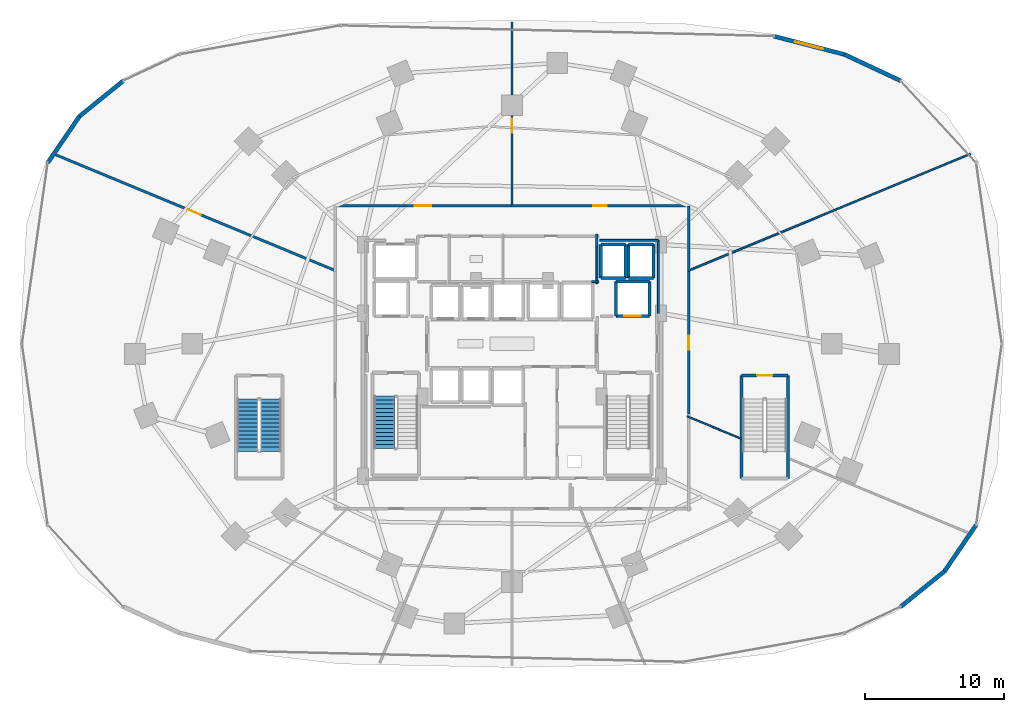
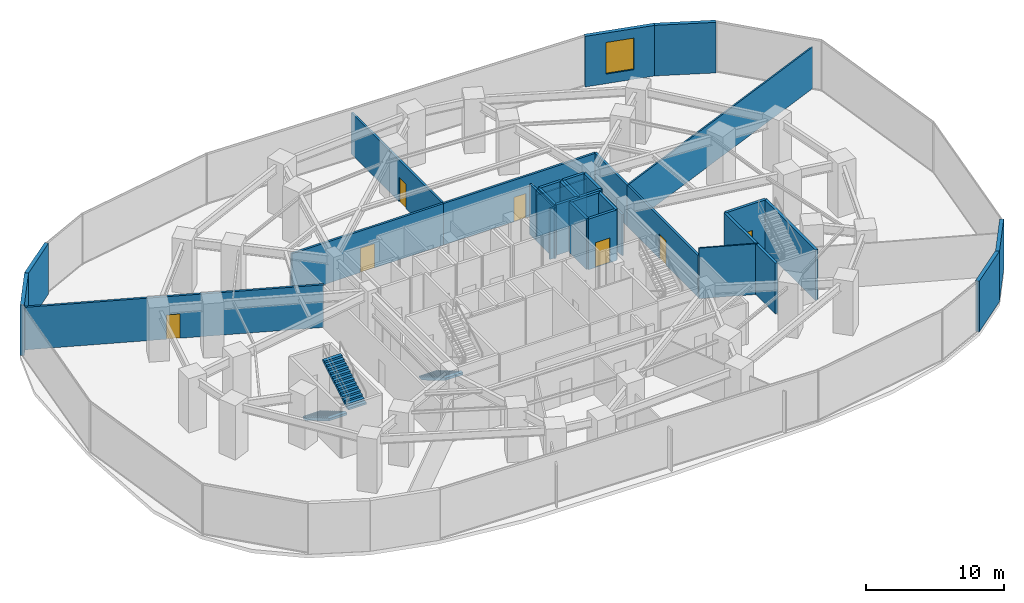
# One storey, part 24 of 27: 34 walls, 7 doors, 3 stair flights, 1 window, 8 openings, 2 elements without a shape of their own.
"""IFC4 building model written with IfcOpenShell, lengths in metres."""

from ifc_helpers import new_model, si_unit, direction, frame, frame_2d, origin, place, context, subcontext, project, spatial, polyline, rectangle, outline, extrude, material, layer, layer_set, type_object, element, fill, aggregate, save


model = new_model("IFC4")

# Units and contexts
model_context = context("Model", 3, precision=1e-05, world=origin(), true_north=direction((0.0, 1.0)))
body_context = subcontext(model_context, "Body", "Model", "MODEL_VIEW")
ifc_project = project(units=[si_unit("LENGTHUNIT", "METRE"), si_unit("AREAUNIT", "SQUARE_METRE"), si_unit("VOLUMEUNIT", "CUBIC_METRE"), si_unit("PLANEANGLEUNIT", "RADIAN"), si_unit("MASSUNIT", "GRAM", prefix="KILO")], contexts=[model_context])

# Site, building, storey
site_placement = place(None, origin())
site = spatial("IfcSite", under=ifc_project, at=site_placement, CompositionType="ELEMENT")
building_placement = place(site_placement, origin())
building = spatial("IfcBuilding", under=site, at=building_placement, Name="Vorneva Point Tower", CompositionType="ELEMENT")
storey_placement = place(building_placement, frame((0.0, 0.0, 4.800048828125)))
storey = spatial("IfcBuildingStorey", under=building, at=storey_placement, Name="L01", CompositionType="ELEMENT", Elevation=4.800048828125)

# Wall, opening, door
ifc_material_1 = material(Name="Concrete B60 (C50/60)", Category="concrete")
ifc_layer_1 = layer(ifc_material_1, 0.5)
ifc_layer_set_1 = layer_set([ifc_layer_1], Name="Concrete B60 (C50/60)")
wall_type_1 = type_object("IfcWallType", Name="WL-CORE-500", PredefinedType="SHEAR", material=ifc_layer_set_1)
wall_1_placement = place(storey_placement, frame((45.5, 28.0, 0.0), z_axis=(0.0, 0.0, 1.0), x_axis=(1.0, 0.0, 0.0)))
wall_1 = element("IfcWall", 1, at=wall_1_placement, inside=storey, type_object=wall_type_1, Name="L01 Lift FFL2 Shaft Wall -Y", PredefinedType="SHEAR", context=body_context, shape_type="SweptSolid", body=[
    extrude(rectangle(XDim=2.39990234375, YDim=0.219970703125, at=frame_2d((1.199951171875, 0.0))), origin(), (0.0, 0.0, 1.0), 4.47998046875),
])
opening_1_placement = place(wall_1_placement, frame((0.60009765625, 0.0, 0.0)))
opening_1 = element("IfcOpeningElement", 2, at=opening_1_placement, cuts=wall_1, Name="Opening LD-02", PredefinedType="OPENING", context=body_context, shape_type="SweptSolid", body=[
    extrude(rectangle(XDim=1.199951171875, YDim=2.199951171875, at=frame_2d((0.60009765625, 1.10009765625))), frame((0.0, 0.125, 0.0), z_axis=(0.0, -1.0, 0.0), x_axis=(1.0, 0.0, 0.0)), (0.0, 0.0, 1.0), 0.249755859375),
])
ifc_material_2 = material(Name="Brushed stainless steel S304", Category="steel")
door_type_1 = type_object("IfcDoorType", Name="LD-FIRE-1200", OperationType="SLIDING_TO_LEFT", PredefinedType="DOOR", material=ifc_material_2)
door_1_placement = place(opening_1_placement, origin())
door_1 = element("IfcDoor", 3, at=door_1_placement, inside=storey, type_object=door_type_1, Name="L01 Lift FFL2 Sliding Landing Door", OperationType="SLIDING_TO_LEFT", OverallHeight=2.199951171875, OverallWidth=1.199951171875, PredefinedType="DOOR", context=body_context, shape_type="SweptSolid", body=[
    extrude(rectangle(XDim=1.199951171875, YDim=2.199951171875, at=frame_2d((0.60009765625, 1.10009765625))), frame((0.0, 0.02490234375, 0.0), z_axis=(0.0, -1.0, 0.0), x_axis=(1.0, 0.0, 0.0)), (0.0, 0.0, 1.0), 0.050048828125),
])
fill(opening_1, door_1)

# Walls
wall_2_placement = place(storey_placement, frame((47.89990234375, 28.0, 0.0), z_axis=(0.0, 0.0, 1.0), x_axis=(0.0, 1.0, 0.0)))
element("IfcWall", 4, at=wall_2_placement, inside=storey, type_object=wall_type_1, Name="L01 Lift FFL2 Shaft Wall +X", PredefinedType="SHEAR", context=body_context, shape_type="SweptSolid", body=[
    extrude(rectangle(XDim=2.5, YDim=0.219970703125, at=frame_2d((1.25, 0.0))), origin(), (0.0, 0.0, 1.0), 4.47998046875),
])
wall_3_placement = place(storey_placement, frame((47.89990234375, 30.5, 0.0), z_axis=(0.0, 0.0, 1.0), x_axis=(-1.0, 0.0, 0.0)))
element("IfcWall", 5, at=wall_3_placement, inside=storey, type_object=wall_type_1, Name="L01 Lift FFL2 Shaft Wall +Y", PredefinedType="SHEAR", context=body_context, shape_type="SweptSolid", body=[
    extrude(rectangle(XDim=2.39990234375, YDim=0.219970703125, at=frame_2d((1.199951171875, 0.0))), origin(), (0.0, 0.0, 1.0), 4.47998046875),
])
wall_4_placement = place(storey_placement, frame((45.5, 30.5, 0.0), z_axis=(0.0, 0.0, 1.0), x_axis=(0.0, -1.0, 0.0)))
element("IfcWall", 6, at=wall_4_placement, inside=storey, type_object=wall_type_1, Name="L01 Lift FFL2 Shaft Wall -X", PredefinedType="SHEAR", context=body_context, shape_type="SweptSolid", body=[
    extrude(rectangle(XDim=2.5, YDim=0.219970703125, at=frame_2d((1.25, 0.0))), origin(), (0.0, 0.0, 1.0), 4.47998046875),
])
ifc_material_3 = material(Name="Precast concrete B50 (C40/50)", Category="concrete")
ifc_layer_2 = layer(ifc_material_3, 0.300048828125)
ifc_layer_set_2 = layer_set([ifc_layer_2], Name="Precast concrete B50 (C40/50)")
wall_type_2 = type_object("IfcWallType", Name="WL-EXT-300", PredefinedType="STANDARD", material=ifc_layer_set_2)
wall_5_placement = place(storey_placement, frame((66.0224609375, 44.96337890625, 0.0), z_axis=(0.0, 0.0, 1.0), x_axis=(-0.905655072563, 0.424015199657, 0.0)))
element("IfcWall", 7, at=wall_5_placement, inside=storey, type_object=wall_type_2, Name="L01 Pale-Metal Facade Spandrel Wall 03.1", PredefinedType="STANDARD", context=body_context, shape_type="SweptSolid", body=[
    extrude(rectangle(XDim=4.482421875, YDim=0.300048828125, at=frame_2d((2.2412109375, 0.0))), origin(), (0.0, 0.0, 1.0), 4.47998046875),
])

# Wall, opening, window
wall_6_placement = place(storey_placement, frame((61.962890625, 46.864013671875, 0.0), z_axis=(0.0, 0.0, 1.0), x_axis=(-0.968182342492, 0.250245782556, 0.0)))
wall_6 = element("IfcWall", 8, at=wall_6_placement, inside=storey, type_object=wall_type_2, Name="L01 Pale-Metal Facade Spandrel Wall 03.2", PredefinedType="STANDARD", context=body_context, shape_type="SweptSolid", body=[
    extrude(rectangle(XDim=5.239990234375, YDim=0.300048828125, at=frame_2d((2.6201171875, 0.0))), origin(), (0.0, 0.0, 1.0), 4.47998046875),
])
opening_2_placement = place(wall_6_placement, frame((1.570068359375, 0.0, 0.85009765625)))
opening_2 = element("IfcOpeningElement", 9, at=opening_2_placement, cuts=wall_6, Name="Opening W-05", PredefinedType="OPENING", context=body_context, shape_type="SweptSolid", body=[
    extrude(rectangle(XDim=2.10009765625, YDim=2.800048828125, at=frame_2d((1.050048828125, 1.39990234375))), frame((0.0, 0.1650390625, 0.0), z_axis=(0.0, -1.0, 0.0), x_axis=(1.0, 0.0, 0.0)), (0.0, 0.0, 1.0), 0.329833984375),
])
ifc_material_4 = material(Name="Double low-e laminated glass IGU", Category="glass")
window_type = type_object("IfcWindowType", Name="WN-POD-2100", PartitioningType="SINGLE_PANEL", PredefinedType="WINDOW", material=ifc_material_4)
window_placement = place(opening_2_placement, origin())
window = element("IfcWindow", 10, at=window_placement, inside=storey, type_object=window_type, Name="L01 Facade Window 03", OverallHeight=2.800048828125, OverallWidth=2.10009765625, PartitioningType="SINGLE_PANEL", PredefinedType="WINDOW", context=body_context, shape_type="SweptSolid", body=[
    extrude(rectangle(XDim=2.10009765625, YDim=2.800048828125, at=frame_2d((1.050048828125, 1.39990234375))), frame((0.0, 0.030029296875, 0.0), z_axis=(0.0, -1.0, 0.0), x_axis=(1.0, 0.0, 0.0)), (0.0, 0.0, 1.0), 0.06005859375),
])
fill(opening_2, window)

# Walls
wall_7_placement = place(storey_placement, frame((9.9775390625, 44.96337890625, 0.0), z_axis=(0.0, 0.0, 1.0), x_axis=(-0.777457154615, -0.628935905111, 0.0)))
element("IfcWall", 11, at=wall_7_placement, inside=storey, type_object=wall_type_2, Name="L01 Pale-Metal Facade Spandrel Wall 07.1", PredefinedType="STANDARD", context=body_context, shape_type="SweptSolid", body=[
    extrude(rectangle(XDim=4.070068359375, YDim=0.300048828125, at=frame_2d((2.03515625, 0.0))), origin(), (0.0, 0.0, 1.0), 4.47998046875),
])
wall_8_placement = place(storey_placement, frame((6.813232421875, 42.403564453125, 0.0), z_axis=(0.0, 0.0, 1.0), x_axis=(-0.563802284854, -0.825909791438, 0.0)))
element("IfcWall", 12, at=wall_8_placement, inside=storey, type_object=wall_type_2, Name="L01 Pale-Metal Facade Spandrel Wall 07.2", PredefinedType="STANDARD", context=body_context, shape_type="SweptSolid", body=[
    extrude(rectangle(XDim=4.0517578125, YDim=0.300048828125, at=frame_2d((2.02587890625, 0.0))), origin(), (0.0, 0.0, 1.0), 4.47998046875),
])
wall_9_placement = place(storey_placement, frame((66.0224609375, 7.03662109375, 0.0), z_axis=(0.0, 0.0, 1.0), x_axis=(0.777457154615, 0.628935905111, 0.0)))
element("IfcWall", 13, at=wall_9_placement, inside=storey, type_object=wall_type_2, Name="L01 Pale-Metal Facade Spandrel Wall 15.1", PredefinedType="STANDARD", context=body_context, shape_type="SweptSolid", body=[
    extrude(rectangle(XDim=4.070068359375, YDim=0.300048828125, at=frame_2d((2.03515625, 0.0))), origin(), (0.0, 0.0, 1.0), 4.47998046875),
])
wall_10_placement = place(storey_placement, frame((69.186767578125, 9.596435546875, 0.0), z_axis=(0.0, 0.0, 1.0), x_axis=(0.563802284854, 0.825909791438, 0.0)))
element("IfcWall", 14, at=wall_10_placement, inside=storey, type_object=wall_type_2, Name="L01 Pale-Metal Facade Spandrel Wall 15.2", PredefinedType="STANDARD", context=body_context, shape_type="SweptSolid", body=[
    extrude(rectangle(XDim=4.0517578125, YDim=0.300048828125, at=frame_2d((2.02587890625, 0.0))), origin(), (0.0, 0.0, 1.0), 4.47998046875),
])
ifc_material_5 = material(Name="Fire-rated acoustic gypsum stud partition", Category="gypsum")
ifc_layer_3 = layer(ifc_material_5, 0.110107421875)
ifc_layer_set_3 = layer_set([ifc_layer_3], Name="Fire-rated acoustic gypsum stud partition")
wall_type_3 = type_object("IfcWallType", Name="WL-PART-110", PredefinedType="PARTITIONING", material=ifc_layer_set_3)
wall_11_placement = place(storey_placement, frame((54.619384765625, 19.116455078125, 0.0), z_axis=(0.0, 0.0, 1.0), x_axis=(-0.923887587975, 0.382663984176, 0.0)))
element("IfcWall", 15, at=wall_11_placement, inside=storey, type_object=wall_type_3, Name="L01 Interior Partition 044", PredefinedType="PARTITIONING", context=body_context, shape_type="SweptSolid", body=[
    extrude(rectangle(XDim=4.328125, YDim=0.110107421875, at=frame_2d((2.1640625, 0.0))), origin(), (0.0, 0.0, 1.0), 4.47998046875),
])
ifc_layer_4 = layer(ifc_material_5, 0.125)
ifc_layer_set_4 = layer_set([ifc_layer_4], Name="Fire-rated acoustic gypsum stud partition")
wall_type_4 = type_object("IfcWallType", Name="WL-PART-125", PredefinedType="PARTITIONING", material=ifc_layer_set_4)
wall_12_placement = place(storey_placement, frame((50.75, 31.281005859375, 0.0), z_axis=(0.0, 0.0, 1.0), x_axis=(0.923867913948, 0.382711480854, 0.0)))
element("IfcWall", 16, at=wall_12_placement, inside=storey, type_object=wall_type_4, Name="L01 Interior Partition 038", PredefinedType="PARTITIONING", context=body_context, shape_type="SweptSolid", body=[
    extrude(rectangle(XDim=21.980224609375, YDim=0.125, at=frame_2d((10.990234375, 0.0))), origin(), (0.0, 0.0, 1.0), 3.671875),
])
ifc_layer_5 = layer(ifc_material_5, 0.139892578125)
ifc_layer_set_5 = layer_set([ifc_layer_5], Name="Fire-rated acoustic gypsum stud partition")
wall_type_5 = type_object("IfcWallType", Name="WL-PART-140", PredefinedType="PARTITIONING", material=ifc_layer_set_5)
wall_13_placement = place(storey_placement, frame((43.735107421875, 30.47998046875, 0.0), z_axis=(0.0, 0.0, 1.0), x_axis=(1.0, 0.0, 0.0)))
element("IfcWall", 17, at=wall_13_placement, inside=storey, type_object=wall_type_5, Name="L01 Interior Closure Partition 051", PredefinedType="PARTITIONING", context=body_context, shape_type="SweptSolid", body=[
    extrude(rectangle(XDim=0.52490234375, YDim=0.139892578125, at=frame_2d((0.262451171875, 0.0))), origin(), (0.0, 0.0, 1.0), 4.47998046875),
])
wall_14_placement = place(storey_placement, frame((44.1201171875, 30.340087890625, 0.0), z_axis=(0.0, 0.0, 1.0), x_axis=(0.0, 1.0, 0.0)))
element("IfcWall", 18, at=wall_14_placement, inside=storey, type_object=wall_type_5, Name="L01 Interior Closure Partition 052", PredefinedType="PARTITIONING", context=body_context, shape_type="SweptSolid", body=[
    extrude(rectangle(XDim=2.659912109375, YDim=0.139892578125, at=frame_2d((1.330078125, 0.0))), origin(), (0.0, 0.0, 1.0), 4.47998046875),
])
wall_15_placement = place(storey_placement, frame((44.340087890625, 33.449951171875, 0.0), z_axis=(0.0, 0.0, 1.0), x_axis=(1.0, 0.0, 0.0)))
element("IfcWall", 19, at=wall_15_placement, inside=storey, type_object=wall_type_5, Name="L01 Interior Closure Partition 054", PredefinedType="PARTITIONING", context=body_context, shape_type="SweptSolid", body=[
    extrude(rectangle(XDim=4.2099609375, YDim=0.139892578125, at=frame_2d((2.10498046875, 0.0))), origin(), (0.0, 0.0, 1.0), 3.671875),
])
wall_16_placement = place(storey_placement, frame((48.550048828125, 33.449951171875, 0.0), z_axis=(0.0, 0.0, 1.0), x_axis=(0.0, -1.0, 0.0)))
element("IfcWall", 20, at=wall_16_placement, inside=storey, type_object=wall_type_5, Name="L01 Interior Closure Partition 055", PredefinedType="PARTITIONING", context=body_context, shape_type="SweptSolid", body=[
    extrude(rectangle(XDim=5.25390625, YDim=0.139892578125, at=frame_2d((2.626953125, 0.0))), origin(), (0.0, 0.0, 1.0), 3.671875),
])
ifc_material_6 = material(Name="Autoclaved aerated concrete blockwork", Category="masonry")
ifc_layer_6 = layer(ifc_material_6, 0.179931640625)
ifc_layer_set_6 = layer_set([ifc_layer_6], Name="Autoclaved aerated concrete blockwork")
wall_type_6 = type_object("IfcWallType", Name="WL-PART-180", PredefinedType="PARTITIONING", material=ifc_layer_set_6)
wall_17_placement = place(storey_placement, frame((44.1201171875, 32.969970703125, 0.0), z_axis=(0.0, 0.0, 1.0), x_axis=(0.0, 1.0, 0.0)))
element("IfcWall", 21, at=wall_17_placement, inside=storey, type_object=wall_type_6, Name="L01 Interior Partition 020", PredefinedType="PARTITIONING", context=body_context, shape_type="SweptSolid", body=[
    extrude(rectangle(XDim=0.929931640625, YDim=0.179931640625, at=frame_2d((0.46484375, 0.0))), origin(), (0.0, 0.0, 1.0), 4.47998046875),
])
wall_18_placement = place(storey_placement, frame((50.75, 31.220947265625, 0.0), z_axis=(0.0, 0.0, 1.0), x_axis=(0.0, 1.0, 0.0)))
element("IfcWall", 22, at=wall_18_placement, inside=storey, type_object=wall_type_6, Name="L01 Interior Partition 022", PredefinedType="PARTITIONING", context=body_context, shape_type="SweptSolid", body=[
    extrude(rectangle(XDim=4.72900390625, YDim=0.179931640625, at=frame_2d((2.364501953125, 0.0))), origin(), (0.0, 0.0, 1.0), 3.671875),
])

# Wall, opening, door
wall_19_placement = place(storey_placement, frame((50.75, 35.949951171875, 0.0), z_axis=(0.0, 0.0, 1.0), x_axis=(-1.0, 0.0, 0.0)))
wall_19 = element("IfcWall", 23, at=wall_19_placement, inside=storey, type_object=wall_type_6, Name="L01 Interior Partition 023", PredefinedType="PARTITIONING", context=body_context, shape_type="SweptSolid", body=[
    extrude(rectangle(XDim=12.81005859375, YDim=0.179931640625, at=frame_2d((6.405029296875, 0.0))), origin(), (0.0, 0.0, 1.0), 3.671875),
])
opening_3_placement = place(wall_19_placement, frame((5.905029296875, 0.0, 0.0)))
opening_3 = element("IfcOpeningElement", 24, at=opening_3_placement, cuts=wall_19, Name="Opening UD-01", PredefinedType="OPENING", context=body_context, shape_type="SweptSolid", body=[
    extrude(rectangle(XDim=1.0, YDim=2.14990234375, at=frame_2d((0.5, 1.074951171875))), frame((0.0, 0.10498046875, 0.0), z_axis=(0.0, -1.0, 0.0), x_axis=(1.0, 0.0, 0.0)), (0.0, 0.0, 1.0), 0.209716796875),
])
ifc_material_7 = material(Name="Engineered oak fire-rated door leaf", Category="wood")
door_type_2 = type_object("IfcDoorType", Name="DR-UNIT-1000", OperationType="NOTDEFINED", PredefinedType="DOOR", material=ifc_material_7)
door_2_placement = place(opening_3_placement, origin())
door_2 = element("IfcDoor", 25, at=door_2_placement, inside=storey, type_object=door_type_2, Name="L01 Door L01 Circulation Corridor / Retail Shop L01-A", OperationType="SINGLE_SWING_LEFT", OverallHeight=2.14990234375, OverallWidth=1.0, PredefinedType="DOOR", context=body_context, shape_type="SweptSolid", body=[
    extrude(rectangle(XDim=1.0, YDim=2.14990234375, at=frame_2d((0.5, 1.074951171875))), frame((0.0, 0.02490234375, 0.0), z_axis=(0.0, -1.0, 0.0), x_axis=(1.0, 0.0, 0.0)), (0.0, 0.0, 1.0), 0.050048828125),
])
fill(opening_3, door_2)

wall_20_placement = place(storey_placement, frame((37.93994140625, 35.949951171875, 0.0), z_axis=(0.0, 0.0, 1.0), x_axis=(-1.0, 0.0, 0.0)))
wall_20 = element("IfcWall", 26, at=wall_20_placement, inside=storey, type_object=wall_type_6, Name="L01 Interior Partition 024", PredefinedType="PARTITIONING", context=body_context, shape_type="SweptSolid", body=[
    extrude(rectangle(XDim=12.68994140625, YDim=0.179931640625, at=frame_2d((6.344970703125, 0.0))), origin(), (0.0, 0.0, 1.0), 3.671875),
])
opening_4_placement = place(wall_20_placement, frame((5.7451171875, 0.0, 0.0)))
opening_4 = element("IfcOpeningElement", 27, at=opening_4_placement, cuts=wall_20, Name="Opening FD-02", PredefinedType="OPENING", context=body_context, shape_type="SweptSolid", body=[
    extrude(rectangle(XDim=1.199951171875, YDim=2.14990234375, at=frame_2d((0.60009765625, 1.074951171875))), frame((0.0, 0.10498046875, 0.0), z_axis=(0.0, -1.0, 0.0), x_axis=(1.0, 0.0, 0.0)), (0.0, 0.0, 1.0), 0.209716796875),
])
ifc_material_8 = material(Name="Fire-rated powder-coated steel", Category="steel")
door_type_3 = type_object("IfcDoorType", Name="DR-FFL-1200", OperationType="NOTDEFINED", PredefinedType="DOOR", material=ifc_material_8)
door_3_placement = place(opening_4_placement, origin())
door_3 = element("IfcDoor", 28, at=door_3_placement, inside=storey, type_object=door_type_3, Name="L01 Door L01 Circulation Corridor / Waterfront Concourse Gallery L01", OperationType="SINGLE_SWING_RIGHT", OverallHeight=2.14990234375, OverallWidth=1.199951171875, PredefinedType="DOOR", context=body_context, shape_type="SweptSolid", body=[
    extrude(rectangle(XDim=1.199951171875, YDim=2.14990234375, at=frame_2d((0.60009765625, 1.074951171875))), frame((0.0, 0.02490234375, 0.0), z_axis=(0.0, -1.0, 0.0), x_axis=(1.0, 0.0, 0.0)), (0.0, 0.0, 1.0), 0.050048828125),
])
fill(opening_4, door_3)

wall_21_placement = place(storey_placement, frame((50.75, 20.9189453125, 0.0), z_axis=(0.0, 0.0, 1.0), x_axis=(0.0, 1.0, 0.0)))
wall_21 = element("IfcWall", 29, at=wall_21_placement, inside=storey, type_object=wall_type_6, Name="L01 Interior Partition 036", PredefinedType="PARTITIONING", context=body_context, shape_type="SweptSolid", body=[
    extrude(rectangle(XDim=10.302001953125, YDim=0.179931640625, at=frame_2d((5.15087890625, 0.0))), origin(), (0.0, 0.0, 1.0), 3.671875),
])
opening_5_placement = place(wall_21_placement, frame((4.65087890625, 0.0, 0.0)))
opening_5 = element("IfcOpeningElement", 30, at=opening_5_placement, cuts=wall_21, Name="Opening UD-01", PredefinedType="OPENING", context=body_context, shape_type="SweptSolid", body=[
    extrude(rectangle(XDim=1.0, YDim=2.14990234375, at=frame_2d((0.5, 1.074951171875))), frame((0.0, 0.10498046875, 0.0), z_axis=(0.0, -1.0, 0.0), x_axis=(1.0, 0.0, 0.0)), (0.0, 0.0, 1.0), 0.209716796875),
])
door_4_placement = place(opening_5_placement, origin())
door_4 = element("IfcDoor", 31, at=door_4_placement, inside=storey, type_object=door_type_2, Name="L01 Door L01 Circulation Corridor / Retail Shop L01-B", OperationType="SINGLE_SWING_RIGHT", OverallHeight=2.14990234375, OverallWidth=1.0, PredefinedType="DOOR", context=body_context, shape_type="SweptSolid", body=[
    extrude(rectangle(XDim=1.0, YDim=2.14990234375, at=frame_2d((0.5, 1.074951171875))), frame((0.0, 0.02490234375, 0.0), z_axis=(0.0, -1.0, 0.0), x_axis=(1.0, 0.0, 0.0)), (0.0, 0.0, 1.0), 0.050048828125),
])
fill(opening_5, door_4)

wall_22_placement = place(storey_placement, frame((38.0, 49.194091796875, 0.0), z_axis=(0.0, 0.0, 1.0), x_axis=(0.0, -1.0, 0.0)))
wall_22 = element("IfcWall", 32, at=wall_22_placement, inside=storey, type_object=wall_type_6, Name="L01 Interior Partition 037", PredefinedType="PARTITIONING", context=body_context, shape_type="SweptSolid", body=[
    extrude(rectangle(XDim=13.244140625, YDim=0.179931640625, at=frame_2d((6.6220703125, 0.0))), origin(), (0.0, 0.0, 1.0), 3.671875),
])
opening_6_placement = place(wall_22_placement, frame((6.9619140625, 0.0, 0.0)))
opening_6 = element("IfcOpeningElement", 33, at=opening_6_placement, cuts=wall_22, Name="Opening UD-01", PredefinedType="OPENING", context=body_context, shape_type="SweptSolid", body=[
    extrude(rectangle(XDim=1.0, YDim=2.14990234375, at=frame_2d((0.5, 1.074951171875))), frame((0.0, 0.10498046875, 0.0), z_axis=(0.0, -1.0, 0.0), x_axis=(1.0, 0.0, 0.0)), (0.0, 0.0, 1.0), 0.209716796875),
])
door_5_placement = place(opening_6_placement, origin())
door_5 = element("IfcDoor", 34, at=door_5_placement, inside=storey, type_object=door_type_2, Name="L01 Door Retail Shop L01-A / Waterfront Concourse Gallery L01", OperationType="SINGLE_SWING_RIGHT", OverallHeight=2.14990234375, OverallWidth=1.0, PredefinedType="DOOR", context=body_context, shape_type="SweptSolid", body=[
    extrude(rectangle(XDim=1.0, YDim=2.14990234375, at=frame_2d((0.5, 1.074951171875))), frame((0.0, 0.02490234375, 0.0), z_axis=(0.0, -1.0, 0.0), x_axis=(1.0, 0.0, 0.0)), (0.0, 0.0, 1.0), 0.050048828125),
])
fill(opening_6, door_5)

wall_23_placement = place(storey_placement, frame((4.943115234375, 39.693115234375, 0.0), z_axis=(0.0, 0.0, 1.0), x_axis=(0.923867913948, -0.382711480854, 0.0)))
wall_23 = element("IfcWall", 35, at=wall_23_placement, inside=storey, type_object=wall_type_6, Name="L01 Interior Partition 039", PredefinedType="PARTITIONING", context=body_context, shape_type="SweptSolid", body=[
    extrude(rectangle(XDim=21.980224609375, YDim=0.179931640625, at=frame_2d((10.990234375, 0.0))), origin(), (0.0, 0.0, 1.0), 3.76904296875),
])
opening_7_placement = place(wall_23_placement, frame((10.490234375, 0.0, 0.0)))
opening_7 = element("IfcOpeningElement", 36, at=opening_7_placement, cuts=wall_23, Name="Opening UD-01", PredefinedType="OPENING", context=body_context, shape_type="SweptSolid", body=[
    extrude(rectangle(XDim=1.0, YDim=2.14990234375, at=frame_2d((0.5, 1.074951171875))), frame((0.0, 0.10498046875, 0.0), z_axis=(0.0, -1.0, 0.0), x_axis=(1.0, 0.0, 0.0)), (0.0, 0.0, 1.0), 0.209716796875),
])
door_6_placement = place(opening_7_placement, origin())
door_6 = element("IfcDoor", 37, at=door_6_placement, inside=storey, type_object=door_type_2, Name="L01 Door Waterfront Concourse Gallery L01 / Riverfront Cafe L01", OperationType="SINGLE_SWING_RIGHT", OverallHeight=2.14990234375, OverallWidth=1.0, PredefinedType="DOOR", context=body_context, shape_type="SweptSolid", body=[
    extrude(rectangle(XDim=1.0, YDim=2.14990234375, at=frame_2d((0.5, 1.074951171875))), frame((0.0, 0.02490234375, 0.0), z_axis=(0.0, -1.0, 0.0), x_axis=(1.0, 0.0, 0.0)), (0.0, 0.0, 1.0), 0.050048828125),
])
fill(opening_7, door_6)

ifc_material_9 = material(Name="Concrete B50 (C40/50)", Category="concrete")
ifc_layer_7 = layer(ifc_material_9, 0.219970703125)
ifc_layer_set_7 = layer_set([ifc_layer_7], Name="Concrete B50 (C40/50)")
wall_type_7 = type_object("IfcWallType", Name="WL-SHFT-220", PredefinedType="SOLIDWALL", material=ifc_layer_set_7)
wall_24_placement = place(storey_placement, frame((54.5400390625, 23.7099609375, 0.0), z_axis=(0.0, 0.0, 1.0), x_axis=(1.0, 0.0, 0.0)))
wall_24 = element("IfcWall", 38, at=wall_24_placement, inside=storey, type_object=wall_type_7, Name="L01 Exit Stair ST4 Shaft Wall near", PredefinedType="SOLIDWALL", context=body_context, shape_type="SweptSolid", body=[
    extrude(rectangle(XDim=3.369873046875, YDim=0.219970703125, at=frame_2d((1.68505859375, 0.0))), origin(), (0.0, 0.0, 1.0), 4.47998046875),
])
opening_8_placement = place(wall_24_placement, frame((1.135009765625, 0.0, 0.0)))
opening_8 = element("IfcOpeningElement", 39, at=opening_8_placement, cuts=wall_24, Name="Opening FD-01", PredefinedType="OPENING", context=body_context, shape_type="SweptSolid", body=[
    extrude(rectangle(XDim=1.10009765625, YDim=2.14990234375, at=frame_2d((0.550048828125, 1.074951171875))), frame((0.0, 0.125, 0.0), z_axis=(0.0, -1.0, 0.0), x_axis=(1.0, 0.0, 0.0)), (0.0, 0.0, 1.0), 0.249755859375),
])
door_type_4 = type_object("IfcDoorType", Name="DR-STAIR-1100", OperationType="NOTDEFINED", PredefinedType="DOOR", material=ifc_material_8)
door_7_placement = place(opening_8_placement, origin())
door_7 = element("IfcDoor", 40, at=door_7_placement, inside=storey, type_object=door_type_4, Name="L01 Exit Stair ST4 Fire Door", OperationType="SINGLE_SWING_RIGHT", OverallHeight=2.14990234375, OverallWidth=1.10009765625, PredefinedType="DOOR", context=body_context, shape_type="SweptSolid", body=[
    extrude(rectangle(XDim=1.10009765625, YDim=2.14990234375, at=frame_2d((0.550048828125, 1.074951171875))), frame((0.0, 0.02490234375, 0.0), z_axis=(0.0, -1.0, 0.0), x_axis=(1.0, 0.0, 0.0)), (0.0, 0.0, 1.0), 0.050048828125),
])
fill(opening_8, door_7)

# Walls
for number, where, z_axis, x_axis, name in (
    (41, (57.909912109375, 23.7099609375, 0.0), (0.0, 0.0, 1.0), (0.0, -1.0, 0.0), "L01 Exit Stair ST4 Shaft Wall right"),
    (42, (54.5400390625, 16.2900390625, 0.0), (0.0, 0.0, 1.0), (0.0, 1.0, 0.0), "L01 Exit Stair ST4 Shaft Wall left"),
):
    element("IfcWall", number, at=place(storey_placement, frame(where, z_axis=z_axis, x_axis=x_axis)), inside=storey, type_object=wall_type_7, Name=name, PredefinedType="SOLIDWALL", context=body_context, shape_type="SweptSolid", body=[
        extrude(rectangle(XDim=7.419921875, YDim=0.219970703125, at=frame_2d((3.7099609375, 0.0))), origin(), (0.0, 0.0, 1.0), 4.47998046875),
    ])
wall_25_placement = place(storey_placement, frame((44.39990234375, 30.739990234375, 0.0), z_axis=(0.0, 0.0, 1.0), x_axis=(1.0, 0.0, 0.0)))
element("IfcWall", 43, at=wall_25_placement, inside=storey, type_object=wall_type_7, Name="L01 Lift EX1 Shaft Wall -Y", PredefinedType="SOLIDWALL", context=body_context, shape_type="SweptSolid", body=[
    extrude(rectangle(XDim=1.800048828125, YDim=0.219970703125, at=frame_2d((0.89990234375, 0.0))), origin(), (0.0, 0.0, 1.0), 4.47998046875),
])
wall_26_placement = place(storey_placement, frame((46.199951171875, 30.739990234375, 0.0), z_axis=(0.0, 0.0, 1.0), x_axis=(0.0, 1.0, 0.0)))
element("IfcWall", 44, at=wall_26_placement, inside=storey, type_object=wall_type_7, Name="L01 Lift EX1 Shaft Wall +X", PredefinedType="SOLIDWALL", context=body_context, shape_type="SweptSolid", body=[
    extrude(rectangle(XDim=2.419921875, YDim=0.219970703125, at=frame_2d((1.2099609375, 0.0))), origin(), (0.0, 0.0, 1.0), 4.47998046875),
])
wall_27_placement = place(storey_placement, frame((46.199951171875, 33.159912109375, 0.0), z_axis=(0.0, 0.0, 1.0), x_axis=(-1.0, 0.0, 0.0)))
element("IfcWall", 45, at=wall_27_placement, inside=storey, type_object=wall_type_7, Name="L01 Lift EX1 Shaft Wall +Y", PredefinedType="SOLIDWALL", context=body_context, shape_type="SweptSolid", body=[
    extrude(rectangle(XDim=1.800048828125, YDim=0.219970703125, at=frame_2d((0.89990234375, 0.0))), origin(), (0.0, 0.0, 1.0), 4.47998046875),
])
wall_28_placement = place(storey_placement, frame((44.39990234375, 33.159912109375, 0.0), z_axis=(0.0, 0.0, 1.0), x_axis=(0.0, -1.0, 0.0)))
element("IfcWall", 46, at=wall_28_placement, inside=storey, type_object=wall_type_7, Name="L01 Lift EX1 Shaft Wall -X", PredefinedType="SOLIDWALL", context=body_context, shape_type="SweptSolid", body=[
    extrude(rectangle(XDim=2.419921875, YDim=0.219970703125, at=frame_2d((1.2099609375, 0.0))), origin(), (0.0, 0.0, 1.0), 4.47998046875),
])
wall_29_placement = place(storey_placement, frame((46.39990234375, 30.739990234375, 0.0), z_axis=(0.0, 0.0, 1.0), x_axis=(1.0, 0.0, 0.0)))
element("IfcWall", 47, at=wall_29_placement, inside=storey, type_object=wall_type_7, Name="L01 Lift EX2 Shaft Wall -Y", PredefinedType="SOLIDWALL", context=body_context, shape_type="SweptSolid", body=[
    extrude(rectangle(XDim=1.800048828125, YDim=0.219970703125, at=frame_2d((0.89990234375, 0.0))), origin(), (0.0, 0.0, 1.0), 4.47998046875),
])
wall_30_placement = place(storey_placement, frame((48.199951171875, 30.739990234375, 0.0), z_axis=(0.0, 0.0, 1.0), x_axis=(0.0, 1.0, 0.0)))
element("IfcWall", 48, at=wall_30_placement, inside=storey, type_object=wall_type_7, Name="L01 Lift EX2 Shaft Wall +X", PredefinedType="SOLIDWALL", context=body_context, shape_type="SweptSolid", body=[
    extrude(rectangle(XDim=2.419921875, YDim=0.219970703125, at=frame_2d((1.2099609375, 0.0))), origin(), (0.0, 0.0, 1.0), 4.47998046875),
])
wall_31_placement = place(storey_placement, frame((48.199951171875, 33.159912109375, 0.0), z_axis=(0.0, 0.0, 1.0), x_axis=(-1.0, 0.0, 0.0)))
element("IfcWall", 49, at=wall_31_placement, inside=storey, type_object=wall_type_7, Name="L01 Lift EX2 Shaft Wall +Y", PredefinedType="SOLIDWALL", context=body_context, shape_type="SweptSolid", body=[
    extrude(rectangle(XDim=1.800048828125, YDim=0.219970703125, at=frame_2d((0.89990234375, 0.0))), origin(), (0.0, 0.0, 1.0), 4.47998046875),
])
wall_32_placement = place(storey_placement, frame((46.39990234375, 33.159912109375, 0.0), z_axis=(0.0, 0.0, 1.0), x_axis=(0.0, -1.0, 0.0)))
element("IfcWall", 50, at=wall_32_placement, inside=storey, type_object=wall_type_7, Name="L01 Lift EX2 Shaft Wall -X", PredefinedType="SOLIDWALL", context=body_context, shape_type="SweptSolid", body=[
    extrude(rectangle(XDim=2.419921875, YDim=0.219970703125, at=frame_2d((1.2099609375, 0.0))), origin(), (0.0, 0.0, 1.0), 4.47998046875),
])

# Stair, stair flight
stair_type = type_object("IfcStairType", Name="ST-DOG-1500", PredefinedType="HALF_TURN_STAIR", material=ifc_material_9)
stair_1_placement = place(storey_placement, origin())
stair_1 = element("IfcStair", 51, at=stair_1_placement, inside=storey, type_object=stair_type, Name="L01 ST1", PredefinedType="HALF_TURN_STAIR")
stair_flight_type = type_object("IfcStairFlightType", Name="STF-1500", PredefinedType="STRAIGHT", material=ifc_material_9)
stair_flight_1_placement = place(storey_placement, frame((28.800048828125, 22.219970703125, 0.0), z_axis=(0.0, 0.0, 1.0), x_axis=(0.0, -1.0, 0.0)))
stair_flight_1 = element("IfcStairFlight", 52, at=stair_flight_1_placement, type_object=stair_flight_type, Name="ST1 flight 1", NumberOfRisers=14, NumberOfTreads=13, PredefinedType="STRAIGHT", RiserHeight=0.171428571, TreadLength=0.29, context=body_context, shape_type="SweptSolid", body=[
    extrude(outline(polyline([(0.0, 0.0), (0.0, 0.17138671875), (0.2900390625, 0.17138671875), (0.2900390625, 0.3427734375), (0.580078125, 0.3427734375), (0.580078125, 0.514404296875), (0.8701171875, 0.514404296875), (0.8701171875, 0.685791015625), (1.159912109375, 0.685791015625), (1.159912109375, 0.857177734375), (1.449951171875, 0.857177734375), (1.449951171875, 1.028564453125), (1.739990234375, 1.028564453125), (1.739990234375, 1.199951171875), (2.030029296875, 1.199951171875), (2.030029296875, 1.371337890625), (2.320068359375, 1.371337890625), (2.320068359375, 1.54296875), (2.610107421875, 1.54296875), (2.610107421875, 1.71435546875), (2.89990234375, 1.71435546875), (2.89990234375, 1.8857421875), (3.18994140625, 1.8857421875), (3.18994140625, 2.05712890625), (3.47998046875, 2.05712890625), (3.47998046875, 2.228515625), (3.77001953125, 2.228515625), (3.77001953125, 2.39990234375), (3.77001953125, 2.01953125), (0.353515625, 0.0), (0.0, 0.0)])), frame((0.0, 0.75, 0.0), z_axis=(0.0, -1.0, 0.0), x_axis=(1.0, 0.0, 0.0)), (0.0, 0.0, 1.0), 1.5),
])
aggregate(stair_1, [stair_flight_1])

# Stair, stair flights
stair_2_placement = place(storey_placement, origin())
stair_2 = element("IfcStair", 53, at=stair_2_placement, inside=storey, type_object=stair_type, Name="L01 ST3", PredefinedType="HALF_TURN_STAIR")
stair_flight_2_placement = place(storey_placement, frame((18.949951171875, 22.02001953125, 0.0), z_axis=(0.0, 0.0, 1.0), x_axis=(0.0, -1.0, 0.0)))
stair_flight_2 = element("IfcStairFlight", 54, at=stair_flight_2_placement, type_object=stair_flight_type, Name="ST3 flight 1", NumberOfRisers=14, NumberOfTreads=13, PredefinedType="STRAIGHT", RiserHeight=0.171428571, TreadLength=0.29, context=body_context, shape_type="SweptSolid", body=[
    extrude(outline(polyline([(0.0, 0.0), (0.0, 0.17138671875), (0.2900390625, 0.17138671875), (0.2900390625, 0.3427734375), (0.580078125, 0.3427734375), (0.580078125, 0.514404296875), (0.8701171875, 0.514404296875), (0.8701171875, 0.685791015625), (1.159912109375, 0.685791015625), (1.159912109375, 0.857177734375), (1.449951171875, 0.857177734375), (1.449951171875, 1.028564453125), (1.739990234375, 1.028564453125), (1.739990234375, 1.199951171875), (2.030029296875, 1.199951171875), (2.030029296875, 1.371337890625), (2.320068359375, 1.371337890625), (2.320068359375, 1.54296875), (2.610107421875, 1.54296875), (2.610107421875, 1.71435546875), (2.89990234375, 1.71435546875), (2.89990234375, 1.8857421875), (3.18994140625, 1.8857421875), (3.18994140625, 2.05712890625), (3.47998046875, 2.05712890625), (3.47998046875, 2.228515625), (3.77001953125, 2.228515625), (3.77001953125, 2.39990234375), (3.77001953125, 2.01953125), (0.353515625, 0.0), (0.0, 0.0)])), frame((0.0, 0.75, 0.0), z_axis=(0.0, -1.0, 0.0), x_axis=(1.0, 0.0, 0.0)), (0.0, 0.0, 1.0), 1.5),
])
stair_flight_3_placement = place(storey_placement, frame((20.60009765625, 18.25, 2.39990234375), z_axis=(0.0, 0.0, 1.0), x_axis=(0.0, 1.0, 0.0)))
stair_flight_3 = element("IfcStairFlight", 55, at=stair_flight_3_placement, type_object=stair_flight_type, Name="ST3 flight 2", NumberOfRisers=14, NumberOfTreads=13, PredefinedType="STRAIGHT", RiserHeight=0.171428571, TreadLength=0.29, context=body_context, shape_type="SweptSolid", body=[
    extrude(outline(polyline([(0.0, 0.0), (0.0, 0.17138671875), (0.2900390625, 0.17138671875), (0.2900390625, 0.3427734375), (0.580078125, 0.3427734375), (0.580078125, 0.514404296875), (0.8701171875, 0.514404296875), (0.8701171875, 0.685791015625), (1.159912109375, 0.685791015625), (1.159912109375, 0.857177734375), (1.449951171875, 0.857177734375), (1.449951171875, 1.028564453125), (1.739990234375, 1.028564453125), (1.739990234375, 1.199951171875), (2.030029296875, 1.199951171875), (2.030029296875, 1.371337890625), (2.320068359375, 1.371337890625), (2.320068359375, 1.54296875), (2.610107421875, 1.54296875), (2.610107421875, 1.71435546875), (2.89990234375, 1.71435546875), (2.89990234375, 1.8857421875), (3.18994140625, 1.8857421875), (3.18994140625, 2.05712890625), (3.47998046875, 2.05712890625), (3.47998046875, 2.228515625), (3.77001953125, 2.228515625), (3.77001953125, 2.39990234375), (3.77001953125, 2.01953125), (0.353515625, 0.0), (0.0, 0.0)])), frame((0.0, 0.75, 0.0), z_axis=(0.0, -1.0, 0.0), x_axis=(1.0, 0.0, 0.0)), (0.0, 0.0, 1.0), 1.5),
])
aggregate(stair_2, [stair_flight_2, stair_flight_3])

save(model, "model.ifc")
